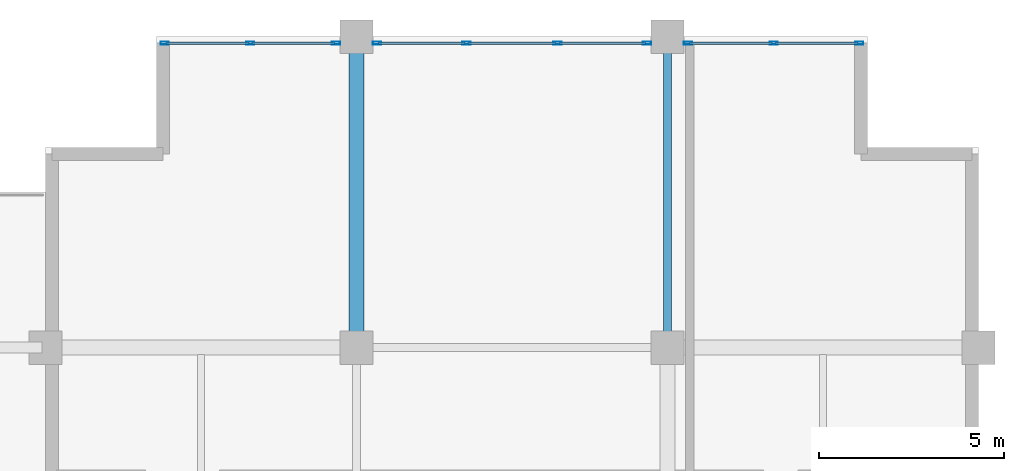
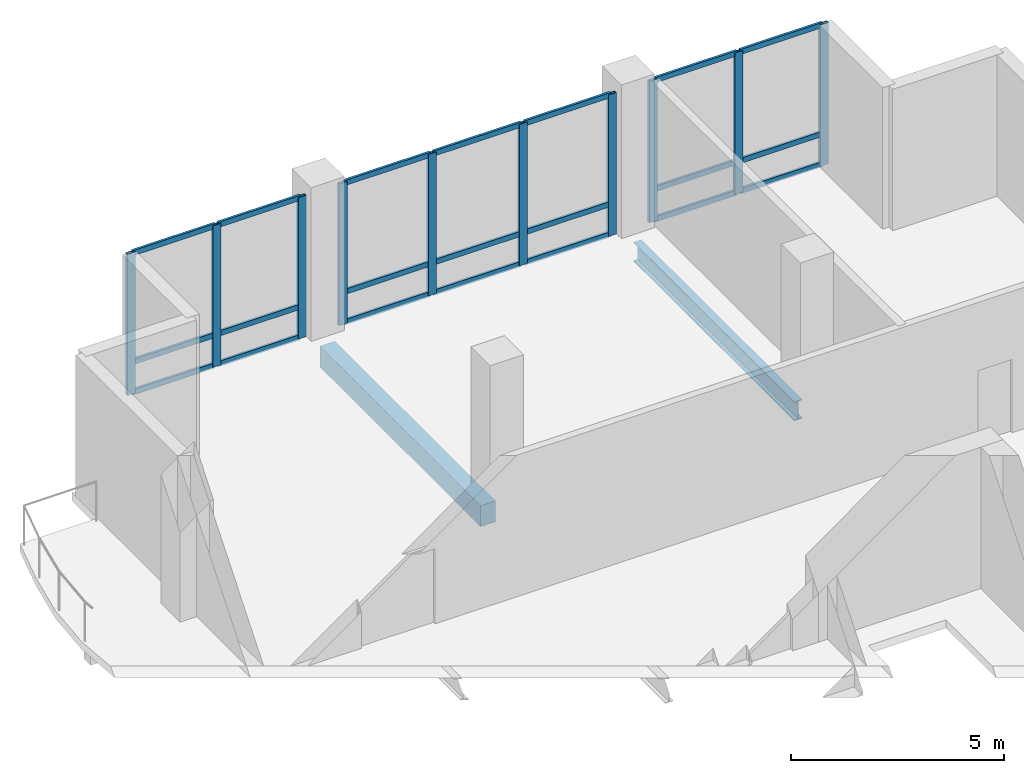
# One storey, part 6 of 15: 31 members, 2 beams, 3 elements without a shape of their own.
"""IFC4 building model written with IfcOpenShell, lengths in metres."""

from ifc_helpers import new_model, si_unit, direction, frame, origin, origin_2d, place, context, subcontext, project, spatial, rectangle, hollow_rectangle, i_section, extrude, material, layer, layer_set, material_profile, profile_set, type_object, element, aggregate, save


model = new_model("IFC4")

# Units and contexts
model_context = context("Model", 3, precision=1e-05, world=origin(), true_north=direction((0.0, 1.0)))
body_context = subcontext(model_context, "Body", "Model", "MODEL_VIEW")
ifc_project = project(units=[si_unit("LENGTHUNIT", "METRE"), si_unit("AREAUNIT", "SQUARE_METRE"), si_unit("VOLUMEUNIT", "CUBIC_METRE"), si_unit("PLANEANGLEUNIT", "RADIAN"), si_unit("MASSUNIT", "GRAM", prefix="KILO")], contexts=[model_context])

# Site, building, storey
site_placement = place(None, origin())
site = spatial("IfcSite", under=ifc_project, at=site_placement, CompositionType="ELEMENT")
building_placement = place(site_placement, origin())
building = spatial("IfcBuilding", under=site, at=building_placement, Name="Koriwani Terraces Tower", CompositionType="ELEMENT")
storey_placement = place(building_placement, frame((0.0, 0.0, 290.39990234375)))
storey = spatial("IfcBuildingStorey", under=building, at=storey_placement, Name="L72", CompositionType="ELEMENT", Elevation=290.39990234375)

# Beam
ifc_material_1 = material(Name="Concrete C40/50", Category="concrete")
ifc_material_profile_1 = material_profile(ifc_material_1, rectangle(XDim=0.39990234375, YDim=0.60009765625, at=origin_2d()), Name="Concrete C40/50", Category="LoadBearing")
ifc_profile_set_1 = profile_set([ifc_material_profile_1], Name="Concrete C40/50")
beam_type_1 = type_object("IfcBeamType", Name="BEAM_RC_GRID_400X600", PredefinedType="BEAM", material=ifc_profile_set_1)
beam_1_placement = place(storey_placement, frame((16.800048828125, 67.6298828125, -0.52978515625), z_axis=(0.0, 1.0, 0.0), x_axis=(-1.0, 0.0, 0.0)))
element("IfcBeam", 1, at=beam_1_placement, inside=storey, type_object=beam_type_1, Name="L72 Grid Beam 3 (67.2-75.6m)", PredefinedType="BEAM", context=body_context, shape_type="SweptSolid", body=[
    extrude(rectangle(XDim=0.39990234375, YDim=0.60009765625, at=origin_2d()), origin(), (0.0, 0.0, 1.0), 7.5400390625),
])

# Curtain wall, members
ifc_material_2 = material(Name="Anodised Bronze Aluminium", Category="aluminium")
ifc_layer = layer(ifc_material_2, 0.219970703125, Name="Anodised Bronze Aluminium")
ifc_layer_set = layer_set([ifc_layer], Name="Anodised Bronze Aluminium")
curtain_wall_type = type_object("IfcCurtainWallType", Name="CW_SKY_LOUNGE", PredefinedType="NOTDEFINED", material=ifc_layer_set)
curtain_wall_1_placement = place(storey_placement, origin())
curtain_wall_1 = element("IfcCurtainWall", 2, at=curtain_wall_1_placement, inside=storey, type_object=curtain_wall_type, Name="L72 Unitised Curtain Wall (N_TIP) Bay 1", PredefinedType="NOTDEFINED")
ifc_material_profile_2 = material_profile(ifc_material_2, hollow_rectangle(XDim=0.0849609375, YDim=0.219970703125, WallThickness=0.008056640625, at=origin_2d()), Name="Anodised Bronze Aluminium", Category="LoadBearing")
ifc_profile_set_2 = profile_set([ifc_material_profile_2], Name="Anodised Bronze Aluminium")
member_type_1 = type_object("IfcMemberType", Name="CW_MULLION_220X85", PredefinedType="MULLION", material=ifc_profile_set_2)
member_1_placement = place(storey_placement, frame((11.617431640625, 75.425048828125, 0.0), z_axis=(0.0, 0.0, 1.0), x_axis=(0.0, 1.0, 0.0)))
member_1 = element("IfcMember", 3, at=member_1_placement, type_object=member_type_1, Name="CW-SKY mullion 1", PredefinedType="MULLION", context=body_context, shape_type="SweptSolid", body=[
    extrude(hollow_rectangle(XDim=0.0849609375, YDim=0.219970703125, WallThickness=0.008056640625, at=origin_2d()), origin(), (0.0, 0.0, 1.0), 4.050048828125),
])
member_2_placement = place(storey_placement, frame((13.9326171875, 75.425048828125, 0.0), z_axis=(0.0, 0.0, 1.0), x_axis=(0.0, 1.0, 0.0)))
member_2 = element("IfcMember", 4, at=member_2_placement, type_object=member_type_1, Name="CW-SKY mullion 2", PredefinedType="MULLION", context=body_context, shape_type="SweptSolid", body=[
    extrude(hollow_rectangle(XDim=0.0849609375, YDim=0.219970703125, WallThickness=0.008056640625, at=origin_2d()), origin(), (0.0, 0.0, 1.0), 4.050048828125),
])
member_3_placement = place(storey_placement, frame((16.24755859375, 75.425048828125, 0.0), z_axis=(0.0, 0.0, 1.0), x_axis=(0.0, 1.0, 0.0)))
member_3 = element("IfcMember", 5, at=member_3_placement, type_object=member_type_1, Name="CW-SKY mullion 3", PredefinedType="MULLION", context=body_context, shape_type="SweptSolid", body=[
    extrude(hollow_rectangle(XDim=0.0849609375, YDim=0.219970703125, WallThickness=0.008056640625, at=origin_2d()), origin(), (0.0, 0.0, 1.0), 4.050048828125),
])

curtain_wall_2_placement = place(storey_placement, origin())
curtain_wall_2 = element("IfcCurtainWall", 6, at=curtain_wall_2_placement, inside=storey, type_object=curtain_wall_type, Name="L72 Unitised Curtain Wall (N_TIP) Bay 2", PredefinedType="NOTDEFINED")
member_4_placement = place(storey_placement, frame((17.3525390625, 75.425048828125, 0.0), z_axis=(0.0, 0.0, 1.0), x_axis=(0.0, 1.0, 0.0)))
member_4 = element("IfcMember", 7, at=member_4_placement, type_object=member_type_1, Name="CW-SKY mullion 1", PredefinedType="MULLION", context=body_context, shape_type="SweptSolid", body=[
    extrude(hollow_rectangle(XDim=0.0849609375, YDim=0.219970703125, WallThickness=0.008056640625, at=origin_2d()), origin(), (0.0, 0.0, 1.0), 4.050048828125),
])
member_5_placement = place(storey_placement, frame((19.77001953125, 75.425048828125, 0.0), z_axis=(0.0, 0.0, 1.0), x_axis=(0.0, 1.0, 0.0)))
member_5 = element("IfcMember", 8, at=member_5_placement, type_object=member_type_1, Name="CW-SKY mullion 2", PredefinedType="MULLION", context=body_context, shape_type="SweptSolid", body=[
    extrude(hollow_rectangle(XDim=0.0849609375, YDim=0.219970703125, WallThickness=0.008056640625, at=origin_2d()), origin(), (0.0, 0.0, 1.0), 4.050048828125),
])
member_6_placement = place(storey_placement, frame((22.22998046875, 75.425048828125, 0.0), z_axis=(0.0, 0.0, 1.0), x_axis=(0.0, 1.0, 0.0)))
member_6 = element("IfcMember", 9, at=member_6_placement, type_object=member_type_1, Name="CW-SKY mullion 3", PredefinedType="MULLION", context=body_context, shape_type="SweptSolid", body=[
    extrude(hollow_rectangle(XDim=0.0849609375, YDim=0.219970703125, WallThickness=0.008056640625, at=origin_2d()), origin(), (0.0, 0.0, 1.0), 4.050048828125),
])
member_7_placement = place(storey_placement, frame((24.6474609375, 75.425048828125, 0.0), z_axis=(0.0, 0.0, 1.0), x_axis=(0.0, 1.0, 0.0)))
member_7 = element("IfcMember", 10, at=member_7_placement, type_object=member_type_1, Name="CW-SKY mullion 4", PredefinedType="MULLION", context=body_context, shape_type="SweptSolid", body=[
    extrude(hollow_rectangle(XDim=0.0849609375, YDim=0.219970703125, WallThickness=0.008056640625, at=origin_2d()), origin(), (0.0, 0.0, 1.0), 4.050048828125),
])

curtain_wall_3_placement = place(storey_placement, origin())
curtain_wall_3 = element("IfcCurtainWall", 11, at=curtain_wall_3_placement, inside=storey, type_object=curtain_wall_type, Name="L72 Unitised Curtain Wall (N_TIP) Bay 3", PredefinedType="NOTDEFINED")
member_8_placement = place(storey_placement, frame((25.75244140625, 75.425048828125, 0.0), z_axis=(0.0, 0.0, 1.0), x_axis=(0.0, 1.0, 0.0)))
member_8 = element("IfcMember", 12, at=member_8_placement, type_object=member_type_1, Name="CW-SKY mullion 1", PredefinedType="MULLION", context=body_context, shape_type="SweptSolid", body=[
    extrude(hollow_rectangle(XDim=0.0849609375, YDim=0.219970703125, WallThickness=0.008056640625, at=origin_2d()), origin(), (0.0, 0.0, 1.0), 4.050048828125),
])
member_9_placement = place(storey_placement, frame((28.0673828125, 75.425048828125, 0.0), z_axis=(0.0, 0.0, 1.0), x_axis=(0.0, 1.0, 0.0)))
member_9 = element("IfcMember", 13, at=member_9_placement, type_object=member_type_1, Name="CW-SKY mullion 2", PredefinedType="MULLION", context=body_context, shape_type="SweptSolid", body=[
    extrude(hollow_rectangle(XDim=0.0849609375, YDim=0.219970703125, WallThickness=0.008056640625, at=origin_2d()), origin(), (0.0, 0.0, 1.0), 4.050048828125),
])
member_10_placement = place(storey_placement, frame((30.382568359375, 75.425048828125, 0.0), z_axis=(0.0, 0.0, 1.0), x_axis=(0.0, 1.0, 0.0)))
member_10 = element("IfcMember", 14, at=member_10_placement, type_object=member_type_1, Name="CW-SKY mullion 3", PredefinedType="MULLION", context=body_context, shape_type="SweptSolid", body=[
    extrude(hollow_rectangle(XDim=0.0849609375, YDim=0.219970703125, WallThickness=0.008056640625, at=origin_2d()), origin(), (0.0, 0.0, 1.0), 4.050048828125),
])

# Member
ifc_material_profile_3 = material_profile(ifc_material_2, hollow_rectangle(XDim=0.06494140625, YDim=0.14990234375, WallThickness=0.0048828125, at=origin_2d()), Name="Anodised Bronze Aluminium", Category="LoadBearing")
ifc_profile_set_3 = profile_set([ifc_material_profile_3], Name="Anodised Bronze Aluminium")
member_type_2 = type_object("IfcMemberType", Name="CW_TRANSOM_150X65", PredefinedType="USERDEFINED", material=ifc_profile_set_3)
member_11_placement = place(storey_placement, frame((11.659912109375, 75.425048828125, 0.03271484375), z_axis=(1.0, 0.0, 0.0), x_axis=(0.0, 1.0, 0.0)))
member_11 = element("IfcMember", 15, at=member_11_placement, type_object=member_type_2, Name="CW-SKY transom 1.1", ObjectType="TRANSOM", PredefinedType="USERDEFINED", context=body_context, shape_type="SweptSolid", body=[
    extrude(hollow_rectangle(XDim=0.06494140625, YDim=0.14990234375, WallThickness=0.0048828125, at=origin_2d()), origin(), (0.0, 0.0, 1.0), 2.22998046875),
])

member_12_placement = place(storey_placement, frame((11.659912109375, 75.425048828125, 0.900146484375), z_axis=(1.0, 0.0, 0.0), x_axis=(0.0, 1.0, 0.0)))
member_12 = element("IfcMember", 16, at=member_12_placement, type_object=member_type_2, Name="CW-SKY transom 1.2", ObjectType="TRANSOM", PredefinedType="USERDEFINED", context=body_context, shape_type="SweptSolid", body=[
    extrude(hollow_rectangle(XDim=0.06494140625, YDim=0.14990234375, WallThickness=0.0048828125, at=origin_2d()), origin(), (0.0, 0.0, 1.0), 2.22998046875),
])

member_13_placement = place(storey_placement, frame((11.659912109375, 75.425048828125, 4.017578125), z_axis=(1.0, 0.0, 0.0), x_axis=(0.0, 1.0, 0.0)))
member_13 = element("IfcMember", 17, at=member_13_placement, type_object=member_type_2, Name="CW-SKY transom 1.3", ObjectType="TRANSOM", PredefinedType="USERDEFINED", context=body_context, shape_type="SweptSolid", body=[
    extrude(hollow_rectangle(XDim=0.06494140625, YDim=0.14990234375, WallThickness=0.0048828125, at=origin_2d()), origin(), (0.0, 0.0, 1.0), 2.22998046875),
])

member_14_placement = place(storey_placement, frame((13.97509765625, 75.425048828125, 0.03271484375), z_axis=(1.0, 0.0, 0.0), x_axis=(0.0, 1.0, 0.0)))
member_14 = element("IfcMember", 18, at=member_14_placement, type_object=member_type_2, Name="CW-SKY transom 2.1", ObjectType="TRANSOM", PredefinedType="USERDEFINED", context=body_context, shape_type="SweptSolid", body=[
    extrude(hollow_rectangle(XDim=0.06494140625, YDim=0.14990234375, WallThickness=0.0048828125, at=origin_2d()), origin(), (0.0, 0.0, 1.0), 2.22998046875),
])

member_15_placement = place(storey_placement, frame((13.97509765625, 75.425048828125, 0.900146484375), z_axis=(1.0, 0.0, 0.0), x_axis=(0.0, 1.0, 0.0)))
member_15 = element("IfcMember", 19, at=member_15_placement, type_object=member_type_2, Name="CW-SKY transom 2.2", ObjectType="TRANSOM", PredefinedType="USERDEFINED", context=body_context, shape_type="SweptSolid", body=[
    extrude(hollow_rectangle(XDim=0.06494140625, YDim=0.14990234375, WallThickness=0.0048828125, at=origin_2d()), origin(), (0.0, 0.0, 1.0), 2.22998046875),
])

member_16_placement = place(storey_placement, frame((13.97509765625, 75.425048828125, 4.017578125), z_axis=(1.0, 0.0, 0.0), x_axis=(0.0, 1.0, 0.0)))
member_16 = element("IfcMember", 20, at=member_16_placement, type_object=member_type_2, Name="CW-SKY transom 2.3", ObjectType="TRANSOM", PredefinedType="USERDEFINED", context=body_context, shape_type="SweptSolid", body=[
    extrude(hollow_rectangle(XDim=0.06494140625, YDim=0.14990234375, WallThickness=0.0048828125, at=origin_2d()), origin(), (0.0, 0.0, 1.0), 2.22998046875),
])

aggregate(curtain_wall_1, [member_1, member_2, member_3, member_11, member_12, member_13, member_14, member_15, member_16])

member_17_placement = place(storey_placement, frame((17.39501953125, 75.425048828125, 0.03271484375), z_axis=(1.0, 0.0, 0.0), x_axis=(0.0, 1.0, 0.0)))
member_17 = element("IfcMember", 21, at=member_17_placement, type_object=member_type_2, Name="CW-SKY transom 1.1", ObjectType="TRANSOM", PredefinedType="USERDEFINED", context=body_context, shape_type="SweptSolid", body=[
    extrude(hollow_rectangle(XDim=0.06494140625, YDim=0.14990234375, WallThickness=0.0048828125, at=origin_2d()), origin(), (0.0, 0.0, 1.0), 2.33251953125),
])

member_18_placement = place(storey_placement, frame((17.39501953125, 75.425048828125, 0.900146484375), z_axis=(1.0, 0.0, 0.0), x_axis=(0.0, 1.0, 0.0)))
member_18 = element("IfcMember", 22, at=member_18_placement, type_object=member_type_2, Name="CW-SKY transom 1.2", ObjectType="TRANSOM", PredefinedType="USERDEFINED", context=body_context, shape_type="SweptSolid", body=[
    extrude(hollow_rectangle(XDim=0.06494140625, YDim=0.14990234375, WallThickness=0.0048828125, at=origin_2d()), origin(), (0.0, 0.0, 1.0), 2.33251953125),
])

member_19_placement = place(storey_placement, frame((17.39501953125, 75.425048828125, 4.017578125), z_axis=(1.0, 0.0, 0.0), x_axis=(0.0, 1.0, 0.0)))
member_19 = element("IfcMember", 23, at=member_19_placement, type_object=member_type_2, Name="CW-SKY transom 1.3", ObjectType="TRANSOM", PredefinedType="USERDEFINED", context=body_context, shape_type="SweptSolid", body=[
    extrude(hollow_rectangle(XDim=0.06494140625, YDim=0.14990234375, WallThickness=0.0048828125, at=origin_2d()), origin(), (0.0, 0.0, 1.0), 2.33251953125),
])

member_20_placement = place(storey_placement, frame((19.8125, 75.425048828125, 0.03271484375), z_axis=(1.0, 0.0, 0.0), x_axis=(0.0, 1.0, 0.0)))
member_20 = element("IfcMember", 24, at=member_20_placement, type_object=member_type_2, Name="CW-SKY transom 2.1", ObjectType="TRANSOM", PredefinedType="USERDEFINED", context=body_context, shape_type="SweptSolid", body=[
    extrude(hollow_rectangle(XDim=0.06494140625, YDim=0.14990234375, WallThickness=0.0048828125, at=origin_2d()), origin(), (0.0, 0.0, 1.0), 2.375),
])

member_21_placement = place(storey_placement, frame((19.8125, 75.425048828125, 0.900146484375), z_axis=(1.0, 0.0, 0.0), x_axis=(0.0, 1.0, 0.0)))
member_21 = element("IfcMember", 25, at=member_21_placement, type_object=member_type_2, Name="CW-SKY transom 2.2", ObjectType="TRANSOM", PredefinedType="USERDEFINED", context=body_context, shape_type="SweptSolid", body=[
    extrude(hollow_rectangle(XDim=0.06494140625, YDim=0.14990234375, WallThickness=0.0048828125, at=origin_2d()), origin(), (0.0, 0.0, 1.0), 2.375),
])

member_22_placement = place(storey_placement, frame((19.8125, 75.425048828125, 4.017578125), z_axis=(1.0, 0.0, 0.0), x_axis=(0.0, 1.0, 0.0)))
member_22 = element("IfcMember", 26, at=member_22_placement, type_object=member_type_2, Name="CW-SKY transom 2.3", ObjectType="TRANSOM", PredefinedType="USERDEFINED", context=body_context, shape_type="SweptSolid", body=[
    extrude(hollow_rectangle(XDim=0.06494140625, YDim=0.14990234375, WallThickness=0.0048828125, at=origin_2d()), origin(), (0.0, 0.0, 1.0), 2.375),
])

member_23_placement = place(storey_placement, frame((22.2724609375, 75.425048828125, 0.03271484375), z_axis=(1.0, 0.0, 0.0), x_axis=(0.0, 1.0, 0.0)))
member_23 = element("IfcMember", 27, at=member_23_placement, type_object=member_type_2, Name="CW-SKY transom 3.1", ObjectType="TRANSOM", PredefinedType="USERDEFINED", context=body_context, shape_type="SweptSolid", body=[
    extrude(hollow_rectangle(XDim=0.06494140625, YDim=0.14990234375, WallThickness=0.0048828125, at=origin_2d()), origin(), (0.0, 0.0, 1.0), 2.33251953125),
])

member_24_placement = place(storey_placement, frame((22.2724609375, 75.425048828125, 0.900146484375), z_axis=(1.0, 0.0, 0.0), x_axis=(0.0, 1.0, 0.0)))
member_24 = element("IfcMember", 28, at=member_24_placement, type_object=member_type_2, Name="CW-SKY transom 3.2", ObjectType="TRANSOM", PredefinedType="USERDEFINED", context=body_context, shape_type="SweptSolid", body=[
    extrude(hollow_rectangle(XDim=0.06494140625, YDim=0.14990234375, WallThickness=0.0048828125, at=origin_2d()), origin(), (0.0, 0.0, 1.0), 2.33251953125),
])

member_25_placement = place(storey_placement, frame((22.2724609375, 75.425048828125, 4.017578125), z_axis=(1.0, 0.0, 0.0), x_axis=(0.0, 1.0, 0.0)))
member_25 = element("IfcMember", 29, at=member_25_placement, type_object=member_type_2, Name="CW-SKY transom 3.3", ObjectType="TRANSOM", PredefinedType="USERDEFINED", context=body_context, shape_type="SweptSolid", body=[
    extrude(hollow_rectangle(XDim=0.06494140625, YDim=0.14990234375, WallThickness=0.0048828125, at=origin_2d()), origin(), (0.0, 0.0, 1.0), 2.33251953125),
])

aggregate(curtain_wall_2, [member_4, member_5, member_6, member_7, member_17, member_18, member_19, member_20, member_21, member_22, member_23, member_24, member_25])

member_26_placement = place(storey_placement, frame((25.794921875, 75.425048828125, 0.03271484375), z_axis=(1.0, 0.0, 0.0), x_axis=(0.0, 1.0, 0.0)))
member_26 = element("IfcMember", 30, at=member_26_placement, type_object=member_type_2, Name="CW-SKY transom 1.1", ObjectType="TRANSOM", PredefinedType="USERDEFINED", context=body_context, shape_type="SweptSolid", body=[
    extrude(hollow_rectangle(XDim=0.06494140625, YDim=0.14990234375, WallThickness=0.0048828125, at=origin_2d()), origin(), (0.0, 0.0, 1.0), 2.22998046875),
])

member_27_placement = place(storey_placement, frame((25.794921875, 75.425048828125, 0.900146484375), z_axis=(1.0, 0.0, 0.0), x_axis=(0.0, 1.0, 0.0)))
member_27 = element("IfcMember", 31, at=member_27_placement, type_object=member_type_2, Name="CW-SKY transom 1.2", ObjectType="TRANSOM", PredefinedType="USERDEFINED", context=body_context, shape_type="SweptSolid", body=[
    extrude(hollow_rectangle(XDim=0.06494140625, YDim=0.14990234375, WallThickness=0.0048828125, at=origin_2d()), origin(), (0.0, 0.0, 1.0), 2.22998046875),
])

member_28_placement = place(storey_placement, frame((25.794921875, 75.425048828125, 4.017578125), z_axis=(1.0, 0.0, 0.0), x_axis=(0.0, 1.0, 0.0)))
member_28 = element("IfcMember", 32, at=member_28_placement, type_object=member_type_2, Name="CW-SKY transom 1.3", ObjectType="TRANSOM", PredefinedType="USERDEFINED", context=body_context, shape_type="SweptSolid", body=[
    extrude(hollow_rectangle(XDim=0.06494140625, YDim=0.14990234375, WallThickness=0.0048828125, at=origin_2d()), origin(), (0.0, 0.0, 1.0), 2.22998046875),
])

member_29_placement = place(storey_placement, frame((28.110107421875, 75.425048828125, 0.03271484375), z_axis=(1.0, 0.0, 0.0), x_axis=(0.0, 1.0, 0.0)))
member_29 = element("IfcMember", 33, at=member_29_placement, type_object=member_type_2, Name="CW-SKY transom 2.1", ObjectType="TRANSOM", PredefinedType="USERDEFINED", context=body_context, shape_type="SweptSolid", body=[
    extrude(hollow_rectangle(XDim=0.06494140625, YDim=0.14990234375, WallThickness=0.0048828125, at=origin_2d()), origin(), (0.0, 0.0, 1.0), 2.22998046875),
])

member_30_placement = place(storey_placement, frame((28.110107421875, 75.425048828125, 0.900146484375), z_axis=(1.0, 0.0, 0.0), x_axis=(0.0, 1.0, 0.0)))
member_30 = element("IfcMember", 34, at=member_30_placement, type_object=member_type_2, Name="CW-SKY transom 2.2", ObjectType="TRANSOM", PredefinedType="USERDEFINED", context=body_context, shape_type="SweptSolid", body=[
    extrude(hollow_rectangle(XDim=0.06494140625, YDim=0.14990234375, WallThickness=0.0048828125, at=origin_2d()), origin(), (0.0, 0.0, 1.0), 2.22998046875),
])

member_31_placement = place(storey_placement, frame((28.110107421875, 75.425048828125, 4.017578125), z_axis=(1.0, 0.0, 0.0), x_axis=(0.0, 1.0, 0.0)))
member_31 = element("IfcMember", 35, at=member_31_placement, type_object=member_type_2, Name="CW-SKY transom 2.3", ObjectType="TRANSOM", PredefinedType="USERDEFINED", context=body_context, shape_type="SweptSolid", body=[
    extrude(hollow_rectangle(XDim=0.06494140625, YDim=0.14990234375, WallThickness=0.0048828125, at=origin_2d()), origin(), (0.0, 0.0, 1.0), 2.22998046875),
])

aggregate(curtain_wall_3, [member_8, member_9, member_10, member_26, member_27, member_28, member_29, member_30, member_31])

# Beam
ifc_material_3 = material(Name="Steel ASTM A572 Grade 50", Category="steel")
ifc_material_profile_4 = material_profile(ifc_material_3, i_section(OverallWidth=0.2119140625, OverallDepth=0.54296875, WebThickness=0.0126953125, FlangeThickness=0.021240234375, at=origin_2d()), Name="Steel ASTM A572 Grade 50", Category="LoadBearing")
ifc_profile_set_4 = profile_set([ifc_material_profile_4], Name="Steel ASTM A572 Grade 50")
beam_type_2 = type_object("IfcBeamType", Name="STEEL_BEAM_W530X150", PredefinedType="BEAM", material=ifc_profile_set_4)
beam_2_placement = place(storey_placement, frame((25.199951171875, 67.6298828125, -0.50146484375), z_axis=(0.0, 1.0, 0.0), x_axis=(-1.0, 0.0, 0.0)))
element("IfcBeam", 36, at=beam_2_placement, inside=storey, type_object=beam_type_2, Name="L72 Grid Beam 4 (67.2-75.6m)", PredefinedType="BEAM", context=body_context, shape_type="SweptSolid", body=[
    extrude(i_section(OverallWidth=0.2119140625, OverallDepth=0.54296875, WebThickness=0.0126953125, FlangeThickness=0.021240234375, at=origin_2d()), origin(), (0.0, 0.0, 1.0), 7.5400390625),
])

save(model, "model.ifc")
